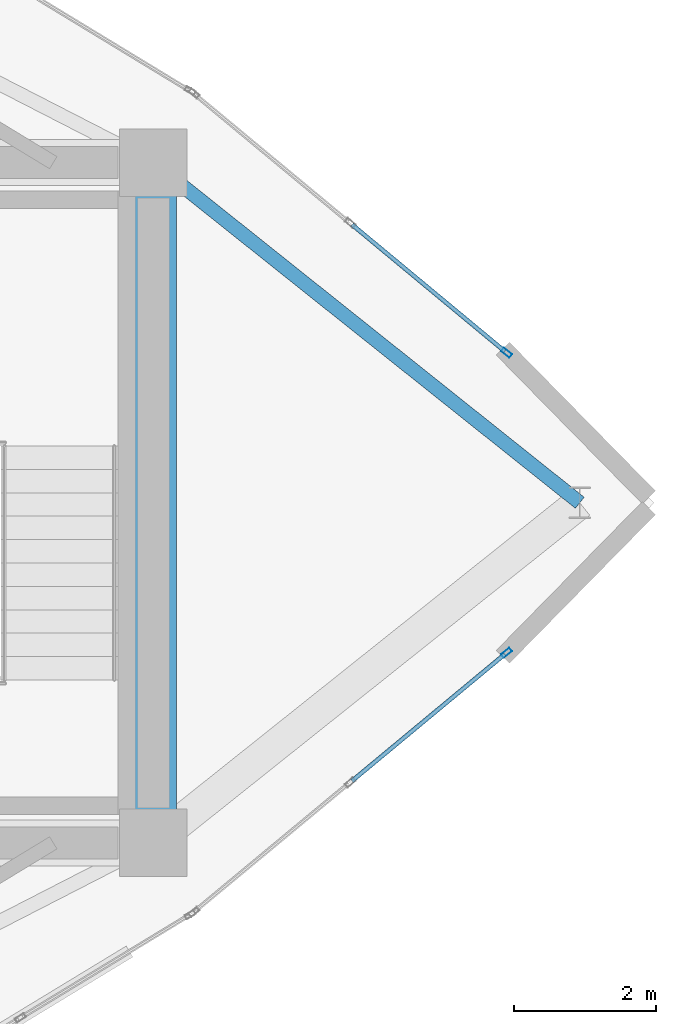
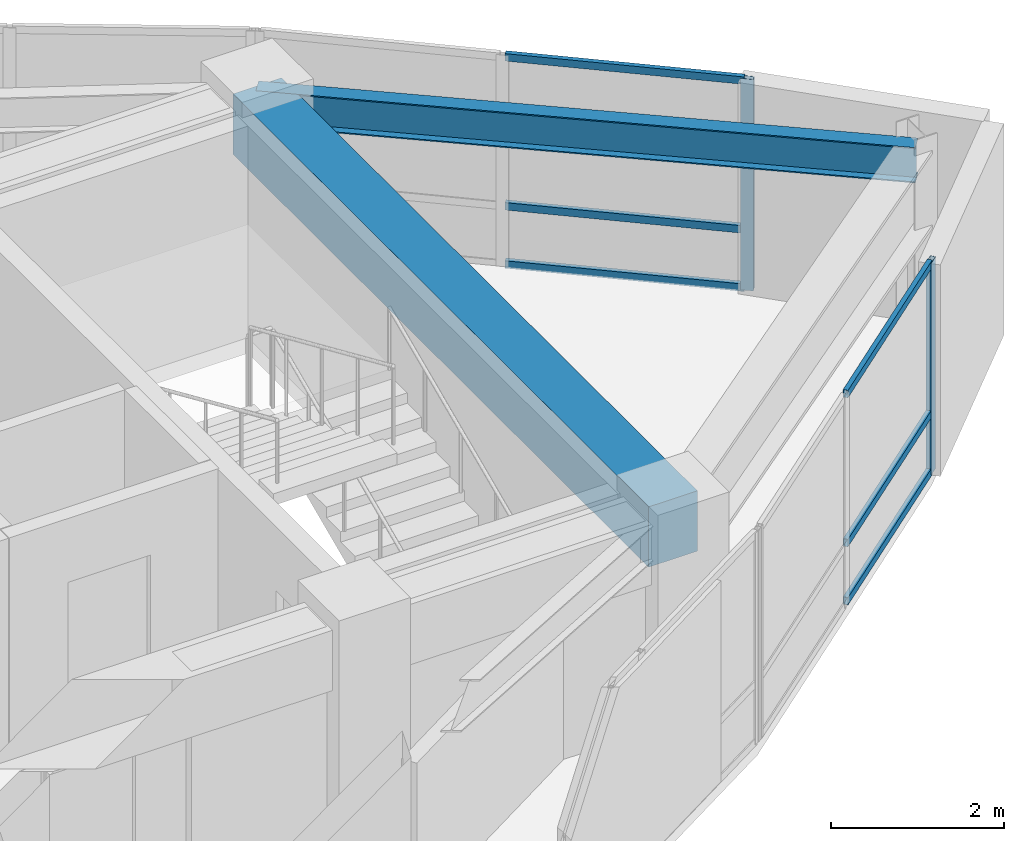
# One storey, part 6 of 14: 8 members, 2 beams, 2 elements without a shape of their own.
"""IFC4 building model written with IfcOpenShell, lengths in metres."""

from ifc_helpers import new_model, si_unit, direction, frame, origin, origin_2d, place, context, subcontext, project, spatial, rectangle, hollow_rectangle, i_section, extrude, material, layer, layer_set, material_profile, profile_set, type_object, element, aggregate, save


model = new_model("IFC4")

# Units and contexts
model_context = context("Model", 3, precision=1e-05, world=origin(), true_north=direction((0.0, 1.0)))
body_context = subcontext(model_context, "Body", "Model", "MODEL_VIEW")
ifc_project = project(units=[si_unit("LENGTHUNIT", "METRE"), si_unit("AREAUNIT", "SQUARE_METRE"), si_unit("VOLUMEUNIT", "CUBIC_METRE"), si_unit("PLANEANGLEUNIT", "RADIAN"), si_unit("MASSUNIT", "GRAM", prefix="KILO")], contexts=[model_context])

# Site, building, storey
site_placement = place(None, origin())
site = spatial("IfcSite", under=ifc_project, at=site_placement, CompositionType="ELEMENT")
building_placement = place(site_placement, origin())
building = spatial("IfcBuilding", under=site, at=building_placement, Name="Menara Vayukalpa", CompositionType="ELEMENT")
storey_placement = place(building_placement, frame((0.0, 0.0, 312.02001953125)))
storey = spatial("IfcBuildingStorey", under=building, at=storey_placement, Name="L80", CompositionType="ELEMENT", Elevation=312.02001953125)

# Beams
ifc_material_1 = material(Name="Concrete C60/75", Category="concrete")
ifc_material_profile_1 = material_profile(ifc_material_1, rectangle(XDim=0.64990234375, YDim=0.85009765625, at=origin_2d()), Name="RC 650x850")
ifc_profile_set_1 = profile_set([ifc_material_profile_1], Name="Concrete C60/75")
beam_type_1 = type_object("IfcBeamType", Name="BM-CB1", PredefinedType="BEAM", material=ifc_profile_set_1)
beam_1_placement = place(storey_placement, frame((33.39990234375, 17.199951171875, 2.554931640625), z_axis=(0.0, 1.0, 0.0), x_axis=(-1.0, 0.0, 0.0)))
element("IfcBeam", 1, at=beam_1_placement, inside=storey, type_object=beam_type_1, Name="L80 Core Tie Beam CBR8", PredefinedType="BEAM", context=body_context, shape_type="SweptSolid", body=[
    extrude(rectangle(XDim=0.64990234375, YDim=0.85009765625, at=origin_2d()), origin(), (0.0, 0.0, 1.0), 9.60009765625),
])
ifc_material_2 = material(Name="Steel S355", Category="steel")
ifc_material_profile_2 = material_profile(ifc_material_2, i_section(OverallWidth=0.199951171875, OverallDepth=0.5, WebThickness=0.010009765625, FlangeThickness=0.01611328125, at=origin_2d()), Name="WF 500x200x10x16")
ifc_profile_set_2 = profile_set([ifc_material_profile_2], Name="Steel S355")
beam_type_2 = type_object("IfcBeamType", Name="BM-SP3", PredefinedType="SPANDREL", material=ifc_profile_set_2)
beam_2_placement = place(storey_placement, frame((39.4189453125, 22.0, 2.72998046875), z_axis=(-0.781830074652, 0.6234915672, 0.0), x_axis=(-0.6234915672, -0.781830074652, 0.0)))
element("IfcBeam", 2, at=beam_2_placement, inside=storey, type_object=beam_type_2, Name="L80 Perimeter Spandrel Beam SP01", PredefinedType="SPANDREL", context=body_context, shape_type="SweptSolid", body=[
    extrude(i_section(OverallWidth=0.199951171875, OverallDepth=0.5, WebThickness=0.010009765625, FlangeThickness=0.01611328125, at=origin_2d()), origin(), (0.0, 0.0, 1.0), 7.69873046875),
])

# Curtain wall, member
ifc_material_3 = material(Name="Anodised Terracotta Aluminium Alloy 6063-T6", Category="masonry")
ifc_layer = layer(ifc_material_3, 0.14990234375)
ifc_layer_set = layer_set([ifc_layer], Name="Anodised Terracotta Aluminium Alloy 6063-T6")
curtain_wall_type = type_object("IfcCurtainWallType", Name="CW-CW7", PredefinedType="USERDEFINED", material=ifc_layer_set)
curtain_wall_1_placement = place(storey_placement, origin())
curtain_wall_1 = element("IfcCurtainWall", 3, at=curtain_wall_1_placement, inside=storey, type_object=curtain_wall_type, Name="L80 Crown Drum Screened Curtain Wall CW7 03", ObjectType="UNITISED", PredefinedType="USERDEFINED")
ifc_material_4 = material(Name="Anodised Terracotta Aluminium Alloy 6063-T6", Category="masonry")
ifc_material_profile_3 = material_profile(ifc_material_4, hollow_rectangle(XDim=0.06494140625, YDim=0.14990234375, WallThickness=0.00341796875, at=origin_2d()), Name="ALU 65x150x3.5")
ifc_profile_set_3 = profile_set([ifc_material_profile_3], Name="Anodised Terracotta Aluminium Alloy 6063-T6")
member_type_1 = type_object("IfcMemberType", Name="CWM-CW7", PredefinedType="MULLION", material=ifc_profile_set_3)
member_1_placement = place(storey_placement, frame((38.3857421875, 24.1171875, 0.0), z_axis=(0.0, 0.0, 1.0), x_axis=(-0.63834658997, -0.7697490702, 0.0)))
member_1 = element("IfcMember", 4, at=member_1_placement, type_object=member_type_1, Name="CW7 mullion 1", PredefinedType="MULLION", context=body_context, shape_type="SweptSolid", body=[
    extrude(hollow_rectangle(XDim=0.06494140625, YDim=0.14990234375, WallThickness=0.00341796875, at=origin_2d()), origin(), (0.0, 0.0, 1.0), 2.97998046875),
])

curtain_wall_2_placement = place(storey_placement, origin())
curtain_wall_2 = element("IfcCurtainWall", 5, at=curtain_wall_2_placement, inside=storey, type_object=curtain_wall_type, Name="L80 Crown Drum Screened Curtain Wall CW7 18", ObjectType="UNITISED", PredefinedType="USERDEFINED")
member_2_placement = place(storey_placement, frame((38.3857421875, 19.8828125, 0.0), z_axis=(0.0, 0.0, 1.0), x_axis=(-0.63834658997, 0.7697490702, 0.0)))
member_2 = element("IfcMember", 6, at=member_2_placement, type_object=member_type_1, Name="CW7 mullion 3", PredefinedType="MULLION", context=body_context, shape_type="SweptSolid", body=[
    extrude(hollow_rectangle(XDim=0.06494140625, YDim=0.14990234375, WallThickness=0.00341796875, at=origin_2d()), origin(), (0.0, 0.0, 1.0), 2.97998046875),
])

# Member
ifc_material_5 = material(Name="Anodised Terracotta Aluminium Alloy 6063-T6", Category="masonry")
ifc_material_profile_4 = material_profile(ifc_material_5, hollow_rectangle(XDim=0.06005859375, YDim=0.10498046875, WallThickness=0.0029296875, at=origin_2d()), Name="ALU 60x105x3")
ifc_profile_set_4 = profile_set([ifc_material_profile_4], Name="Anodised Terracotta Aluminium Alloy 6063-T6")
member_type_2 = type_object("IfcMemberType", Name="CWT-CW7", PredefinedType="USERDEFINED", material=ifc_profile_set_4)
member_3_placement = place(storey_placement, frame((38.360595703125, 24.137939453125, 0.030029296875), z_axis=(-0.769691097873, 0.638416489335, 0.0), x_axis=(-0.638416489335, -0.769691097873, 0.0)))
member_3 = element("IfcMember", 7, at=member_3_placement, type_object=member_type_2, Name="CW7 transom 1.1", ObjectType="TRANSOM", PredefinedType="USERDEFINED", context=body_context, shape_type="SweptSolid", body=[
    extrude(hollow_rectangle(XDim=0.06005859375, YDim=0.10498046875, WallThickness=0.0029296875, at=origin_2d()), origin(), (0.0, 0.0, 1.0), 2.80078125),
])

member_4_placement = place(storey_placement, frame((38.360595703125, 24.137939453125, 0.85009765625), z_axis=(-0.769691097873, 0.638416489335, 0.0), x_axis=(-0.638416489335, -0.769691097873, 0.0)))
member_4 = element("IfcMember", 8, at=member_4_placement, type_object=member_type_2, Name="CW7 transom 1.2", ObjectType="TRANSOM", PredefinedType="USERDEFINED", context=body_context, shape_type="SweptSolid", body=[
    extrude(hollow_rectangle(XDim=0.06005859375, YDim=0.10498046875, WallThickness=0.0029296875, at=origin_2d()), origin(), (0.0, 0.0, 1.0), 2.80078125),
])

member_5_placement = place(storey_placement, frame((38.360595703125, 24.137939453125, 2.949951171875), z_axis=(-0.769691097873, 0.638416489335, 0.0), x_axis=(-0.638416489335, -0.769691097873, 0.0)))
member_5 = element("IfcMember", 9, at=member_5_placement, type_object=member_type_2, Name="CW7 transom 1.3", ObjectType="TRANSOM", PredefinedType="USERDEFINED", context=body_context, shape_type="SweptSolid", body=[
    extrude(hollow_rectangle(XDim=0.06005859375, YDim=0.10498046875, WallThickness=0.0029296875, at=origin_2d()), origin(), (0.0, 0.0, 1.0), 2.80078125),
])

aggregate(curtain_wall_1, [member_1, member_3, member_4, member_5])

member_6_placement = place(storey_placement, frame((36.204833984375, 18.073974609375, 0.030029296875), z_axis=(0.769691097873, 0.638416489335, 0.0), x_axis=(-0.638416489335, 0.769691097873, 0.0)))
member_6 = element("IfcMember", 10, at=member_6_placement, type_object=member_type_2, Name="CW7 transom 2.1", ObjectType="TRANSOM", PredefinedType="USERDEFINED", context=body_context, shape_type="SweptSolid", body=[
    extrude(hollow_rectangle(XDim=0.06005859375, YDim=0.10498046875, WallThickness=0.0029296875, at=origin_2d()), origin(), (0.0, 0.0, 1.0), 2.80078125),
])

member_7_placement = place(storey_placement, frame((36.204833984375, 18.073974609375, 0.85009765625), z_axis=(0.769691097873, 0.638416489335, 0.0), x_axis=(-0.638416489335, 0.769691097873, 0.0)))
member_7 = element("IfcMember", 11, at=member_7_placement, type_object=member_type_2, Name="CW7 transom 2.2", ObjectType="TRANSOM", PredefinedType="USERDEFINED", context=body_context, shape_type="SweptSolid", body=[
    extrude(hollow_rectangle(XDim=0.06005859375, YDim=0.10498046875, WallThickness=0.0029296875, at=origin_2d()), origin(), (0.0, 0.0, 1.0), 2.80078125),
])

member_8_placement = place(storey_placement, frame((36.204833984375, 18.073974609375, 2.949951171875), z_axis=(0.769691097873, 0.638416489335, 0.0), x_axis=(-0.638416489335, 0.769691097873, 0.0)))
member_8 = element("IfcMember", 12, at=member_8_placement, type_object=member_type_2, Name="CW7 transom 2.3", ObjectType="TRANSOM", PredefinedType="USERDEFINED", context=body_context, shape_type="SweptSolid", body=[
    extrude(hollow_rectangle(XDim=0.06005859375, YDim=0.10498046875, WallThickness=0.0029296875, at=origin_2d()), origin(), (0.0, 0.0, 1.0), 2.80078125),
])

aggregate(curtain_wall_2, [member_2, member_6, member_7, member_8])

save(model, "model.ifc")
